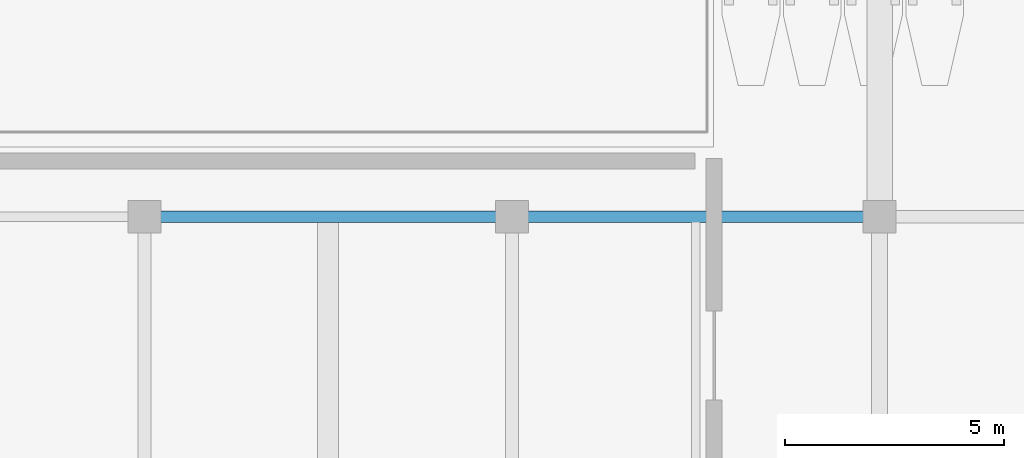
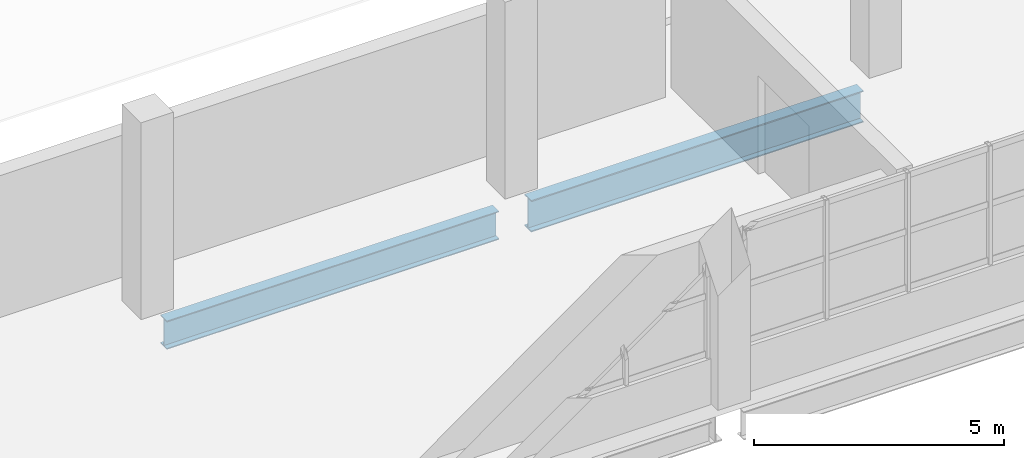
# One storey, part 34 of 77: 2 beams.
"""IFC4 building model written with IfcOpenShell, lengths in metres."""

from ifc_helpers import new_model, si_unit, direction, frame, origin, origin_2d, place, context, subcontext, project, spatial, i_section, extrude, material, material_profile, profile_set, type_object, element, save


model = new_model("IFC4")

# Units and contexts
model_context = context("Model", 3, precision=1e-05, world=origin(), true_north=direction((0.0, 1.0)))
body_context = subcontext(model_context, "Body", "Model", "MODEL_VIEW")
ifc_project = project(units=[si_unit("LENGTHUNIT", "METRE"), si_unit("AREAUNIT", "SQUARE_METRE"), si_unit("VOLUMEUNIT", "CUBIC_METRE"), si_unit("PLANEANGLEUNIT", "RADIAN"), si_unit("MASSUNIT", "GRAM", prefix="KILO")], contexts=[model_context])

# Site, building, storey
site_placement = place(None, origin())
site = spatial("IfcSite", under=ifc_project, at=site_placement, CompositionType="ELEMENT")
building_placement = place(site_placement, origin())
building = spatial("IfcBuilding", under=site, at=building_placement, Name="Solvento Point Concert Hall", CompositionType="ELEMENT")
storey_placement = place(building_placement, frame((0.0, 0.0, 10.199951171875)))
storey = spatial("IfcBuildingStorey", under=building, at=storey_placement, Name="L02", CompositionType="ELEMENT", Elevation=10.199951171875)

# Beams
ifc_material_1 = material(Name="Structural Steel ASTM A992 Grade 50", Category="steel")
ifc_material_profile_1 = material_profile(ifc_material_1, i_section(OverallWidth=0.256103515625, OverallDepth=0.693115234375, WebThickness=0.014404296875, FlangeThickness=0.023681640625, at=origin_2d()), Name="W27X114")
ifc_profile_set_1 = profile_set([ifc_material_profile_1], Name="Structural Steel ASTM A992 Grade 50")
beam_type_1 = type_object("IfcBeamType", Name="Girder_W27X114", PredefinedType="USERDEFINED", material=ifc_profile_set_1)
beam_1_placement = place(storey_placement, frame((175.569091796875, 8.5, -0.79052734375), z_axis=(1.0, 0.0, 0.0), x_axis=(0.0, 1.0, 0.0)))
element("IfcBeam", 1, at=beam_1_placement, inside=storey, type_object=beam_type_1, Name="Primary girder B-23 L02", ObjectType="GIRDER", PredefinedType="USERDEFINED", context=body_context, shape_type="SweptSolid", body=[
    extrude(i_section(OverallWidth=0.256103515625, OverallDepth=0.693115234375, WebThickness=0.014404296875, FlangeThickness=0.023681640625, at=origin_2d()), origin(), (0.0, 0.0, 1.0), 7.661865234375),
])
ifc_material_2 = material(Name="Structural Steel ASTM A992 Grade 50", Category="steel")
ifc_material_profile_2 = material_profile(ifc_material_2, i_section(OverallWidth=0.26806640625, OverallDepth=0.77001953125, WebThickness=0.015625, FlangeThickness=0.025390625, at=origin_2d()), Name="W30X132")
ifc_profile_set_2 = profile_set([ifc_material_profile_2], Name="Structural Steel ASTM A992 Grade 50")
beam_type_2 = type_object("IfcBeamType", Name="Girder_W30X132", PredefinedType="USERDEFINED", material=ifc_profile_set_2)
beam_2_placement = place(storey_placement, frame((183.968994140625, 8.5, -0.828857421875), z_axis=(1.0, 0.0, 0.0), x_axis=(0.0, 1.0, 0.0)))
element("IfcBeam", 2, at=beam_2_placement, inside=storey, type_object=beam_type_2, Name="Primary girder B-68 L02", ObjectType="GIRDER", PredefinedType="USERDEFINED", context=body_context, shape_type="SweptSolid", body=[
    extrude(i_section(OverallWidth=0.26806640625, OverallDepth=0.77001953125, WebThickness=0.015625, FlangeThickness=0.025390625, at=origin_2d()), origin(), (0.0, 0.0, 1.0), 7.662109375),
])

save(model, "model.ifc")
